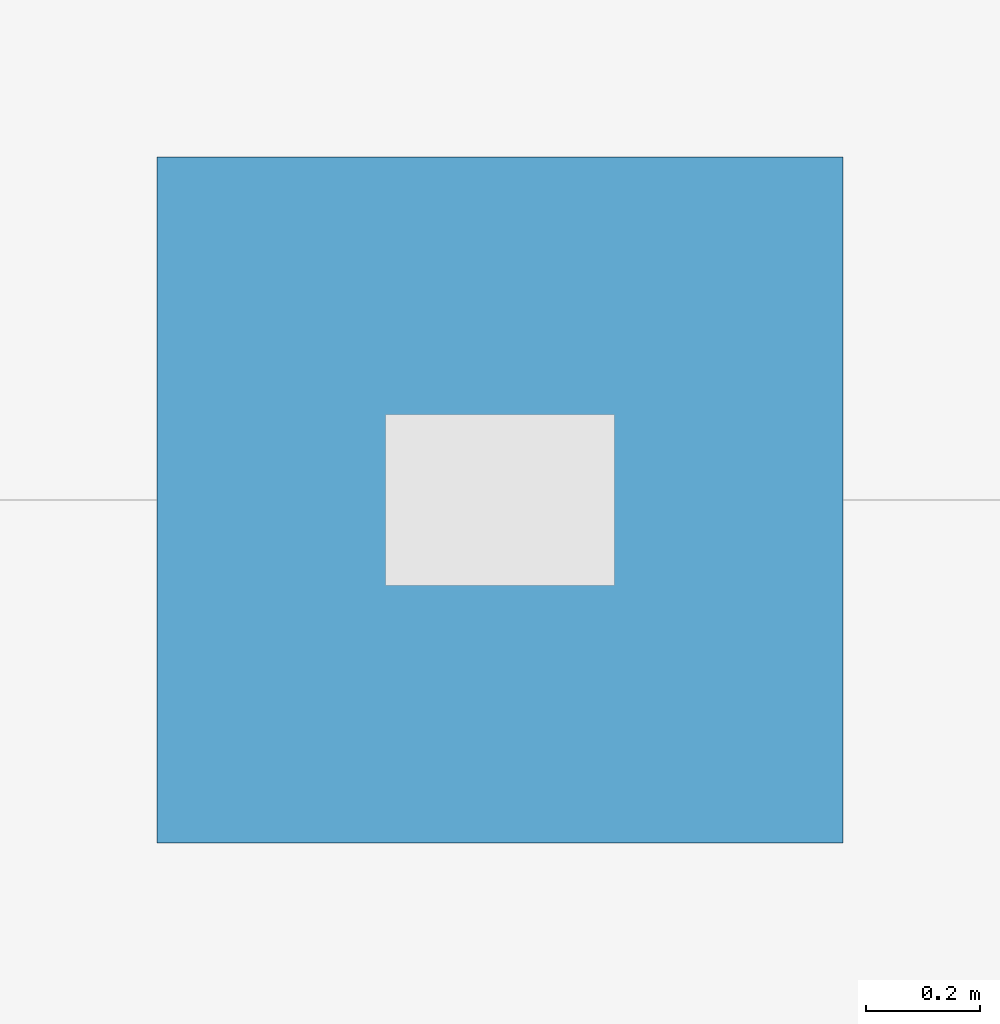
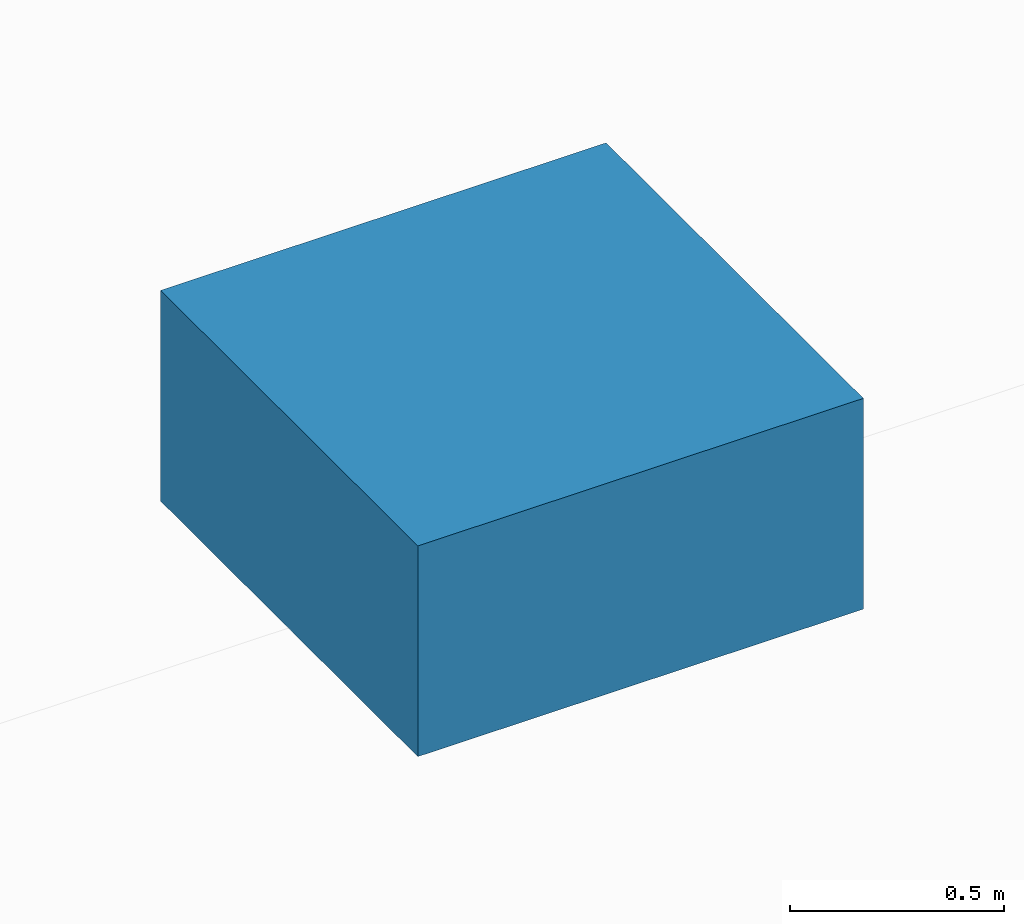
# One storey, part 29 of 31: 1 chimney.
"""IFC4 building model written with IfcOpenShell, lengths in metres."""

from ifc_helpers import new_model, si_unit, direction, frame, origin, origin_2d, place, context, subcontext, project, spatial, rectangle, extrude, material, type_object, element, save


model = new_model("IFC4")

# Units and contexts
model_context = context("Model", 3, precision=1e-05, world=origin(), true_north=direction((0.0, 1.0)))
body_context = subcontext(model_context, "Body", "Model", "MODEL_VIEW")
ifc_project = project(units=[si_unit("LENGTHUNIT", "METRE"), si_unit("AREAUNIT", "SQUARE_METRE"), si_unit("VOLUMEUNIT", "CUBIC_METRE"), si_unit("PLANEANGLEUNIT", "RADIAN"), si_unit("MASSUNIT", "GRAM", prefix="KILO")], contexts=[model_context])

# Site, building, storey
site_placement = place(None, origin())
site = spatial("IfcSite", under=ifc_project, at=site_placement, CompositionType="ELEMENT")
building_placement = place(site_placement, origin())
building = spatial("IfcBuilding", under=site, at=building_placement, Name="Catenary Quay Ferry Terminal", CompositionType="ELEMENT")
storey_placement = place(building_placement, frame((0.0, 0.0, 20.60009765625)))
storey = spatial("IfcBuildingStorey", under=building, at=storey_placement, Name="L04", CompositionType="ELEMENT", Elevation=20.60009765625)

# Chimney
ifc_material = material(Name="Ceramic tile")
chimney_type = type_object("IfcChimneyType", Name="SV1", PredefinedType="NOTDEFINED", material=ifc_material)
chimney_placement = place(storey_placement, frame((54.60009765625, 126.0, 2.52294921875), z_axis=(0.0, 0.0, 1.0), x_axis=(1.0, 0.0, 0.0)))
element("IfcChimney", 1, at=chimney_placement, inside=storey, type_object=chimney_type, Name="Smoke vent", PredefinedType="NOTDEFINED", context=body_context, shape_type="SweptSolid", body=[
    extrude(rectangle(XDim=1.199951171875, YDim=1.199951171875, at=origin_2d()), origin(), (0.0, 0.0, 1.0), 0.60009765625),
])

save(model, "model.ifc")
